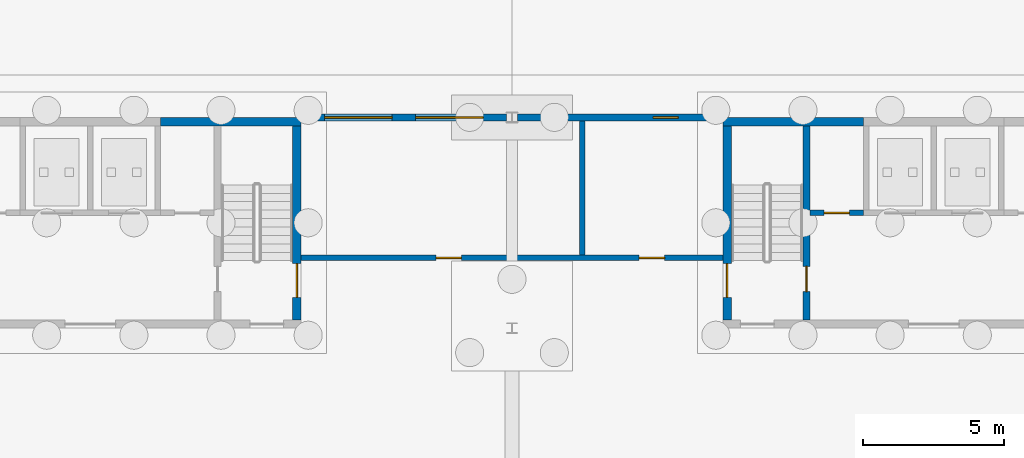
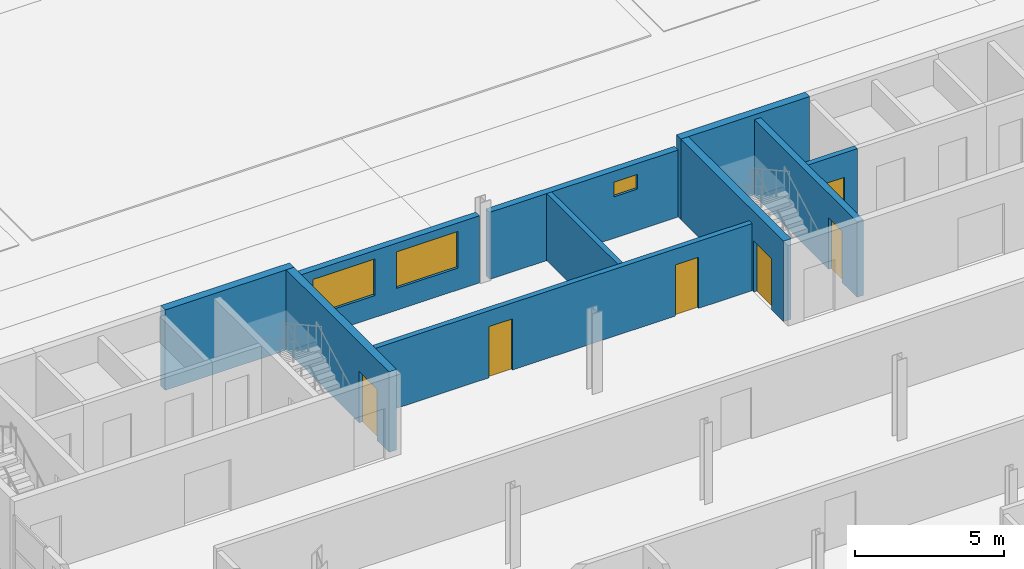
# One storey, part 83 of 130: 10 walls, 6 doors, 3 windows, 9 openings.
"""IFC4 building model written with IfcOpenShell, lengths in metres."""

from ifc_helpers import new_model, si_unit, direction, frame, frame_2d, origin, place, context, subcontext, project, spatial, rectangle, extrude, material, layer, layer_set, type_object, element, fill, save


model = new_model("IFC4")

# Units and contexts
model_context = context("Model", 3, precision=1e-05, world=origin(), true_north=direction((0.0, 1.0)))
body_context = subcontext(model_context, "Body", "Model", "MODEL_VIEW")
ifc_project = project(units=[si_unit("LENGTHUNIT", "METRE"), si_unit("AREAUNIT", "SQUARE_METRE"), si_unit("VOLUMEUNIT", "CUBIC_METRE"), si_unit("PLANEANGLEUNIT", "RADIAN"), si_unit("MASSUNIT", "GRAM", prefix="KILO")], contexts=[model_context])

# Site, building, storey
site_placement = place(None, origin())
site = spatial("IfcSite", under=ifc_project, at=site_placement, CompositionType="ELEMENT")
building_placement = place(site_placement, origin())
building = spatial("IfcBuilding", under=site, at=building_placement, Name="Parallax Yard Mobility Hub", CompositionType="ELEMENT")
storey_placement = place(building_placement, origin())
storey = spatial("IfcBuildingStorey", under=building, at=storey_placement, Name="L00", CompositionType="ELEMENT", Elevation=0.0)

# Wall
ifc_material_1 = material(Name="Concrete fc' 35 MPa", Category="concrete")
ifc_layer_1 = layer(ifc_material_1, 0.300048828125)
ifc_layer_set_1 = layer_set([ifc_layer_1], Name="Concrete fc' 35 MPa core wall 300")
wall_type_1 = type_object("IfcWallType", Name="Concrete fc' 35 MPa core wall 300", PredefinedType="SHEAR", material=ifc_layer_set_1)
wall_1_placement = place(storey_placement, frame((107.5, 52.35009765625, 0.0), z_axis=(0.0, 0.0, 1.0), x_axis=(1.0, 0.0, 0.0)))
element("IfcWall", 1, at=wall_1_placement, inside=storey, type_object=wall_type_1, Name="Core C6-W back wall part 3 level L00", PredefinedType="SHEAR", context=body_context, shape_type="SweptSolid", body=[
    extrude(rectangle(XDim=5.0, YDim=0.300048828125, at=frame_2d((2.5, 0.0))), origin(), (0.0, 0.0, 1.0), 3.300048828125),
])

# Wall, opening, door
wall_2_placement = place(storey_placement, frame((112.35009765625, 52.199951171875, 0.0), z_axis=(0.0, 0.0, 1.0), x_axis=(0.0, -1.0, 0.0)))
wall_2 = element("IfcWall", 2, at=wall_2_placement, inside=storey, type_object=wall_type_1, Name="Core C6-W east-side end wall level L00", PredefinedType="SHEAR", context=body_context, shape_type="SweptSolid", body=[
    extrude(rectangle(XDim=6.89990234375, YDim=0.300048828125, at=frame_2d((3.449951171875, 0.0))), origin(), (0.0, 0.0, 1.0), 3.300048828125),
])
opening_1_placement = place(wall_2_placement, frame((4.89990234375, 0.0, 0.0)))
opening_1 = element("IfcOpeningElement", 3, at=opening_1_placement, cuts=wall_2, Name="Opening L00-D753", PredefinedType="OPENING", context=body_context, shape_type="SweptSolid", body=[
    extrude(rectangle(XDim=1.199951171875, YDim=2.10009765625, at=frame_2d((0.60009765625, 1.050048828125))), frame((0.0, 0.16015625, 0.0), z_axis=(0.0, -1.0, 0.0), x_axis=(1.0, 0.0, 0.0)), (0.0, 0.0, 1.0), 0.320068359375),
])
ifc_material_2 = material(Name="Hollow metal steel door and frame", Category="steel")
door_type_1 = type_object("IfcDoorType", Name="Core door 1200 x 2100 FD90", OperationType="NOTDEFINED", PredefinedType="DOOR", material=ifc_material_2)
door_1_placement = place(opening_1_placement, origin())
door_1 = element("IfcDoor", 4, at=door_1_placement, inside=storey, type_object=door_type_1, Name="Stair exit door L00-D753, core C6-W level L00", OperationType="SINGLE_SWING_RIGHT", OverallHeight=2.10009765625, OverallWidth=1.199951171875, PredefinedType="DOOR", context=body_context, shape_type="SweptSolid", body=[
    extrude(rectangle(XDim=1.199951171875, YDim=2.10009765625, at=frame_2d((0.60009765625, 1.050048828125))), frame((0.0, 0.02490234375, 0.0), z_axis=(0.0, -1.0, 0.0), x_axis=(1.0, 0.0, 0.0)), (0.0, 0.0, 1.0), 0.050048828125),
])
fill(opening_1, door_1)

# Wall
wall_3_placement = place(storey_placement, frame((127.5, 52.35009765625, 0.0), z_axis=(0.0, 0.0, 1.0), x_axis=(1.0, 0.0, 0.0)))
element("IfcWall", 5, at=wall_3_placement, inside=storey, type_object=wall_type_1, Name="Core C6-E back wall part 1 level L00", PredefinedType="SHEAR", context=body_context, shape_type="SweptSolid", body=[
    extrude(rectangle(XDim=5.0, YDim=0.300048828125, at=frame_2d((2.5, 0.0))), origin(), (0.0, 0.0, 1.0), 3.300048828125),
])

# Wall, opening, door
wall_4_placement = place(storey_placement, frame((127.64990234375, 45.300048828125, 0.0), z_axis=(0.0, 0.0, 1.0), x_axis=(0.0, 1.0, 0.0)))
wall_4 = element("IfcWall", 6, at=wall_4_placement, inside=storey, type_object=wall_type_1, Name="Core C6-E west-side end wall level L00", PredefinedType="SHEAR", context=body_context, shape_type="SweptSolid", body=[
    extrude(rectangle(XDim=6.89990234375, YDim=0.300048828125, at=frame_2d((3.449951171875, 0.0))), origin(), (0.0, 0.0, 1.0), 3.300048828125),
])
opening_2_placement = place(wall_4_placement, frame((0.800048828125, 0.0, 0.0)))
opening_2 = element("IfcOpeningElement", 7, at=opening_2_placement, cuts=wall_4, Name="Opening L00-D763", PredefinedType="OPENING", context=body_context, shape_type="SweptSolid", body=[
    extrude(rectangle(XDim=1.199951171875, YDim=2.10009765625, at=frame_2d((0.60009765625, 1.050048828125))), frame((0.0, 0.16015625, 0.0), z_axis=(0.0, -1.0, 0.0), x_axis=(1.0, 0.0, 0.0)), (0.0, 0.0, 1.0), 0.320068359375),
])
door_2_placement = place(opening_2_placement, origin())
door_2 = element("IfcDoor", 8, at=door_2_placement, inside=storey, type_object=door_type_1, Name="Stair exit door L00-D763, core C6-E level L00", OperationType="SINGLE_SWING_RIGHT", OverallHeight=2.10009765625, OverallWidth=1.199951171875, PredefinedType="DOOR", context=body_context, shape_type="SweptSolid", body=[
    extrude(rectangle(XDim=1.199951171875, YDim=2.10009765625, at=frame_2d((0.60009765625, 1.050048828125))), frame((0.0, 0.02490234375, 0.0), z_axis=(0.0, -1.0, 0.0), x_axis=(1.0, 0.0, 0.0)), (0.0, 0.0, 1.0), 0.050048828125),
])
fill(opening_2, door_2)

ifc_layer_2 = layer(ifc_material_1, 0.199951171875)
ifc_layer_set_2 = layer_set([ifc_layer_2], Name="Concrete fc' 35 MPa internal core wall 200")
wall_type_2 = type_object("IfcWallType", Name="Concrete fc' 35 MPa internal core wall 200", PredefinedType="STANDARD", material=ifc_layer_set_2)
wall_5_placement = place(storey_placement, frame((132.5, 49.10009765625, 0.0), z_axis=(0.0, 0.0, 1.0), x_axis=(-1.0, 0.0, 0.0)))
wall_5 = element("IfcWall", 9, at=wall_5_placement, inside=storey, type_object=wall_type_2, Name="Core C6-E lift front 1 part 1 level L00", PredefinedType="STANDARD", context=body_context, shape_type="SweptSolid", body=[
    extrude(rectangle(XDim=1.89990234375, YDim=0.199951171875, at=frame_2d((0.949951171875, 0.0))), origin(), (0.0, 0.0, 1.0), 3.10009765625),
])
opening_3_placement = place(wall_5_placement, frame((0.5, 0.0, 0.0)))
opening_3 = element("IfcOpeningElement", 10, at=opening_3_placement, cuts=wall_5, Name="Opening L00-D761", PredefinedType="OPENING", context=body_context, shape_type="SweptSolid", body=[
    extrude(rectangle(XDim=0.89990234375, YDim=2.10009765625, at=frame_2d((0.449951171875, 1.050048828125))), frame((0.0, 0.10986328125, 0.0), z_axis=(0.0, -1.0, 0.0), x_axis=(1.0, 0.0, 0.0)), (0.0, 0.0, 1.0), 0.219970703125),
])
door_type_2 = type_object("IfcDoorType", Name="Riser door 900 x 2100 FD90", OperationType="NOTDEFINED", PredefinedType="DOOR", material=ifc_material_2)
door_3_placement = place(opening_3_placement, origin())
door_3 = element("IfcDoor", 11, at=door_3_placement, inside=storey, type_object=door_type_2, Name="Riser door L00-D761, core C6-E level L00", OperationType="SINGLE_SWING_RIGHT", OverallHeight=2.10009765625, OverallWidth=0.89990234375, PredefinedType="DOOR", context=body_context, shape_type="SweptSolid", body=[
    extrude(rectangle(XDim=0.89990234375, YDim=2.10009765625, at=frame_2d((0.449951171875, 1.050048828125))), frame((0.0, 0.02490234375, 0.0), z_axis=(0.0, -1.0, 0.0), x_axis=(1.0, 0.0, 0.0)), (0.0, 0.0, 1.0), 0.050048828125),
])
fill(opening_3, door_3)

ifc_layer_3 = layer(ifc_material_1, 0.25)
ifc_layer_set_3 = layer_set([ifc_layer_3], Name="Concrete fc' 35 MPa stair enclosure wall 250")
wall_type_3 = type_object("IfcWallType", Name="Concrete fc' 35 MPa stair enclosure wall 250", PredefinedType="STANDARD", material=ifc_layer_set_3)
wall_6_placement = place(storey_placement, frame((130.47509765625, 45.300048828125, 0.0), z_axis=(0.0, 0.0, 1.0), x_axis=(0.0, 1.0, 0.0)))
wall_6 = element("IfcWall", 12, at=wall_6_placement, inside=storey, type_object=wall_type_3, Name="Core C6-E stair 1 partition level L00", PredefinedType="STANDARD", context=body_context, shape_type="SweptSolid", body=[
    extrude(rectangle(XDim=6.89990234375, YDim=0.25, at=frame_2d((3.449951171875, 0.0))), origin(), (0.0, 0.0, 1.0), 3.10009765625),
])
opening_4_placement = place(wall_6_placement, frame((1.0, 0.0, 0.0)))
opening_4 = element("IfcOpeningElement", 13, at=opening_4_placement, cuts=wall_6, Name="Opening L00-D757", PredefinedType="OPENING", context=body_context, shape_type="SweptSolid", body=[
    extrude(rectangle(XDim=0.89990234375, YDim=2.10009765625, at=frame_2d((0.449951171875, 1.050048828125))), frame((0.0, 0.135009765625, 0.0), z_axis=(0.0, -1.0, 0.0), x_axis=(1.0, 0.0, 0.0)), (0.0, 0.0, 1.0), 0.27001953125),
])
door_type_3 = type_object("IfcDoorType", Name="Core door 900 x 2100 FD90", OperationType="NOTDEFINED", PredefinedType="DOOR", material=ifc_material_2)
door_4_placement = place(opening_4_placement, origin())
door_4 = element("IfcDoor", 14, at=door_4_placement, inside=storey, type_object=door_type_3, Name="Stair lobby door L00-D757, core C6-E level L00", OperationType="SINGLE_SWING_LEFT", OverallHeight=2.10009765625, OverallWidth=0.89990234375, PredefinedType="DOOR", context=body_context, shape_type="SweptSolid", body=[
    extrude(rectangle(XDim=0.89990234375, YDim=2.10009765625, at=frame_2d((0.449951171875, 1.050048828125))), frame((0.0, 0.02490234375, 0.0), z_axis=(0.0, -1.0, 0.0), x_axis=(1.0, 0.0, 0.0)), (0.0, 0.0, 1.0), 0.050048828125),
])
fill(opening_4, door_4)

# Wall, openings, windows
ifc_layer_4 = layer(ifc_material_1, 0.25)
ifc_layer_set_4 = layer_set([ifc_layer_4], Name="Exterior wall, Concrete fc' 35 MPa precast, 250 with insulation lining")
wall_type_4 = type_object("IfcWallType", Name="Exterior wall, Concrete fc' 35 MPa precast, 250 with insulation lining", PredefinedType="SOLIDWALL", material=ifc_layer_set_4)
wall_7_placement = place(storey_placement, frame((112.5, 52.5, 0.0), z_axis=(0.0, 0.0, 1.0), x_axis=(1.0, 0.0, 0.0)))
wall_7 = element("IfcWall", 15, at=wall_7_placement, inside=storey, type_object=wall_type_4, Name="Mobility service centre and workshops north wall bay 1 level L00", PredefinedType="SOLIDWALL", context=body_context, shape_type="SweptSolid", body=[
    extrude(rectangle(XDim=7.302978515625, YDim=0.25, at=frame_2d((3.6513671875, 0.0))), origin(), (0.0, 0.0, 1.0), 2.7509765625),
])
opening_5_placement = place(wall_7_placement, frame((0.834228515625, 0.0, 0.89990234375)))
opening_5 = element("IfcOpeningElement", 16, at=opening_5_placement, cuts=wall_7, Name="Opening W1", PredefinedType="OPENING", context=body_context, shape_type="SweptSolid", body=[
    extrude(rectangle(XDim=2.39990234375, YDim=1.5, at=frame_2d((1.199951171875, 0.75))), frame((0.0, 0.135009765625, 0.0), z_axis=(0.0, -1.0, 0.0), x_axis=(1.0, 0.0, 0.0)), (0.0, 0.0, 1.0), 0.27001953125),
])
opening_6_placement = place(wall_7_placement, frame((4.068603515625, 0.0, 0.89990234375)))
opening_6 = element("IfcOpeningElement", 17, at=opening_6_placement, cuts=wall_7, Name="Opening W1", PredefinedType="OPENING", context=body_context, shape_type="SweptSolid", body=[
    extrude(rectangle(XDim=2.39990234375, YDim=1.5, at=frame_2d((1.199951171875, 0.75))), frame((0.0, 0.135009765625, 0.0), z_axis=(0.0, -1.0, 0.0), x_axis=(1.0, 0.0, 0.0)), (0.0, 0.0, 1.0), 0.27001953125),
])
ifc_material_3 = material(Name="Double glazed low-E unit in thermally broken aluminium frame", Category="aluminium")
window_type_1 = type_object("IfcWindowType", Name="Window 2400 x 1500", PartitioningType="DOUBLE_PANEL_VERTICAL", PredefinedType="WINDOW", material=ifc_material_3)
window_1_placement = place(opening_5_placement, origin())
window_1 = element("IfcWindow", 18, at=window_1_placement, inside=storey, type_object=window_type_1, Name="Window W1 level L00", OverallHeight=1.5, OverallWidth=2.39990234375, PartitioningType="DOUBLE_PANEL_VERTICAL", PredefinedType="WINDOW", context=body_context, shape_type="SweptSolid", body=[
    extrude(rectangle(XDim=2.39990234375, YDim=1.5, at=frame_2d((1.199951171875, 0.75))), frame((0.0, 0.030029296875, 0.0), z_axis=(0.0, -1.0, 0.0), x_axis=(1.0, 0.0, 0.0)), (0.0, 0.0, 1.0), 0.06005859375),
])
fill(opening_5, window_1)
window_2_placement = place(opening_6_placement, origin())
window_2 = element("IfcWindow", 19, at=window_2_placement, inside=storey, type_object=window_type_1, Name="Window W1 level L00", OverallHeight=1.5, OverallWidth=2.39990234375, PartitioningType="DOUBLE_PANEL_VERTICAL", PredefinedType="WINDOW", context=body_context, shape_type="SweptSolid", body=[
    extrude(rectangle(XDim=2.39990234375, YDim=1.5, at=frame_2d((1.199951171875, 0.75))), frame((0.0, 0.030029296875, 0.0), z_axis=(0.0, -1.0, 0.0), x_axis=(1.0, 0.0, 0.0)), (0.0, 0.0, 1.0), 0.06005859375),
])
fill(opening_6, window_2)

# Wall, opening, window
wall_8_placement = place(storey_placement, frame((120.197021484375, 52.5, 0.0), z_axis=(0.0, 0.0, 1.0), x_axis=(1.0, 0.0, 0.0)))
wall_8 = element("IfcWall", 20, at=wall_8_placement, inside=storey, type_object=wall_type_4, Name="Mobility service centre and workshops north wall bay 2 level L00", PredefinedType="SOLIDWALL", context=body_context, shape_type="SweptSolid", body=[
    extrude(rectangle(XDim=7.302978515625, YDim=0.25, at=frame_2d((3.6513671875, 0.0))), origin(), (0.0, 0.0, 1.0), 2.7509765625),
])
opening_7_placement = place(wall_8_placement, frame((4.818603515625, 0.0, 1.699951171875)))
opening_7 = element("IfcOpeningElement", 21, at=opening_7_placement, cuts=wall_8, Name="Opening W3", PredefinedType="OPENING", context=body_context, shape_type="SweptSolid", body=[
    extrude(rectangle(XDim=0.89990234375, YDim=0.60009765625, at=frame_2d((0.449951171875, 0.300048828125))), frame((0.0, 0.135009765625, 0.0), z_axis=(0.0, -1.0, 0.0), x_axis=(1.0, 0.0, 0.0)), (0.0, 0.0, 1.0), 0.27001953125),
])
ifc_material_4 = material(Name="Obscured double glazed unit in thermally broken aluminium frame", Category="aluminium")
window_type_2 = type_object("IfcWindowType", Name="Obscured window 900 x 600", PartitioningType="SINGLE_PANEL", PredefinedType="WINDOW", material=ifc_material_4)
window_3_placement = place(opening_7_placement, origin())
window_3 = element("IfcWindow", 22, at=window_3_placement, inside=storey, type_object=window_type_2, Name="Window W3 level L00", OverallHeight=0.60009765625, OverallWidth=0.89990234375, PartitioningType="SINGLE_PANEL", PredefinedType="WINDOW", context=body_context, shape_type="SweptSolid", body=[
    extrude(rectangle(XDim=0.89990234375, YDim=0.60009765625, at=frame_2d((0.449951171875, 0.300048828125))), frame((0.0, 0.030029296875, 0.0), z_axis=(0.0, -1.0, 0.0), x_axis=(1.0, 0.0, 0.0)), (0.0, 0.0, 1.0), 0.06005859375),
])
fill(opening_7, window_3)

# Wall, openings, doors
ifc_material_5 = material(Name="Fire-rated plasterboard partition, two layers each side")
ifc_layer_5 = layer(ifc_material_5, 0.199951171875)
ifc_layer_set_5 = layer_set([ifc_layer_5], Name="Fire-rated partition 200 mm")
wall_type_5 = type_object("IfcWallType", Name="Fire-rated partition 200 mm", PredefinedType="PARTITIONING", material=ifc_layer_set_5)
wall_9_placement = place(storey_placement, frame((112.5, 47.5, 0.0), z_axis=(0.0, 0.0, 1.0), x_axis=(1.0, 0.0, 0.0)))
wall_9 = element("IfcWall", 23, at=wall_9_placement, inside=storey, type_object=wall_type_5, Name="Partition 33 level L00", PredefinedType="PARTITIONING", context=body_context, shape_type="SweptSolid", body=[
    extrude(rectangle(XDim=15.0, YDim=0.199951171875, at=frame_2d((7.5, 0.0))), origin(), (0.0, 0.0, 1.0), 2.7509765625),
])
opening_8_placement = place(wall_9_placement, frame((4.800048828125, 0.0, 0.0)))
opening_8 = element("IfcOpeningElement", 24, at=opening_8_placement, cuts=wall_9, Name="Opening L00-D226", PredefinedType="OPENING", context=body_context, shape_type="SweptSolid", body=[
    extrude(rectangle(XDim=0.89990234375, YDim=2.10009765625, at=frame_2d((0.449951171875, 1.050048828125))), frame((0.0, 0.10986328125, 0.0), z_axis=(0.0, -1.0, 0.0), x_axis=(1.0, 0.0, 0.0)), (0.0, 0.0, 1.0), 0.219970703125),
])
opening_9_placement = place(wall_9_placement, frame((12.025146484375, 0.0, 0.0)))
opening_9 = element("IfcOpeningElement", 25, at=opening_9_placement, cuts=wall_9, Name="Opening L00-D227", PredefinedType="OPENING", context=body_context, shape_type="SweptSolid", body=[
    extrude(rectangle(XDim=0.89990234375, YDim=2.10009765625, at=frame_2d((0.449951171875, 1.050048828125))), frame((0.0, 0.10986328125, 0.0), z_axis=(0.0, -1.0, 0.0), x_axis=(1.0, 0.0, 0.0)), (0.0, 0.0, 1.0), 0.219970703125),
])
ifc_material_6 = material(Name="Hollow metal fire door leaf with intumescent seals")
door_type_4 = type_object("IfcDoorType", Name="Fire door 900 mm FD60", OperationType="NOTDEFINED", PredefinedType="DOOR", material=ifc_material_6)
door_5_placement = place(opening_8_placement, origin())
door_5 = element("IfcDoor", 26, at=door_5_placement, inside=storey, type_object=door_type_4, Name="Door L00-D226 Control Room", OperationType="SINGLE_SWING_LEFT", OverallHeight=2.10009765625, OverallWidth=0.89990234375, PredefinedType="DOOR", context=body_context, shape_type="SweptSolid", body=[
    extrude(rectangle(XDim=0.89990234375, YDim=2.10009765625, at=frame_2d((0.449951171875, 1.050048828125))), frame((0.0, 0.02490234375, 0.0), z_axis=(0.0, -1.0, 0.0), x_axis=(1.0, 0.0, 0.0)), (0.0, 0.0, 1.0), 0.050048828125),
])
fill(opening_8, door_5)
door_6_placement = place(opening_9_placement, origin())
door_6 = element("IfcDoor", 27, at=door_6_placement, inside=storey, type_object=door_type_4, Name="Door L00-D227 Staff WC", OperationType="SINGLE_SWING_RIGHT", OverallHeight=2.10009765625, OverallWidth=0.89990234375, PredefinedType="DOOR", context=body_context, shape_type="SweptSolid", body=[
    extrude(rectangle(XDim=0.89990234375, YDim=2.10009765625, at=frame_2d((0.449951171875, 1.050048828125))), frame((0.0, 0.02490234375, 0.0), z_axis=(0.0, -1.0, 0.0), x_axis=(1.0, 0.0, 0.0)), (0.0, 0.0, 1.0), 0.050048828125),
])
fill(opening_9, door_6)

# Wall
wall_10_placement = place(storey_placement, frame((122.5, 47.60009765625, 0.0), z_axis=(0.0, 0.0, 1.0), x_axis=(0.0, 1.0, 0.0)))
element("IfcWall", 28, at=wall_10_placement, inside=storey, type_object=wall_type_5, Name="Partition 98 level L00", PredefinedType="PARTITIONING", context=body_context, shape_type="SweptSolid", body=[
    extrude(rectangle(XDim=4.77490234375, YDim=0.199951171875, at=frame_2d((2.387451171875, 0.0))), origin(), (0.0, 0.0, 1.0), 2.7509765625),
])

save(model, "model.ifc")
